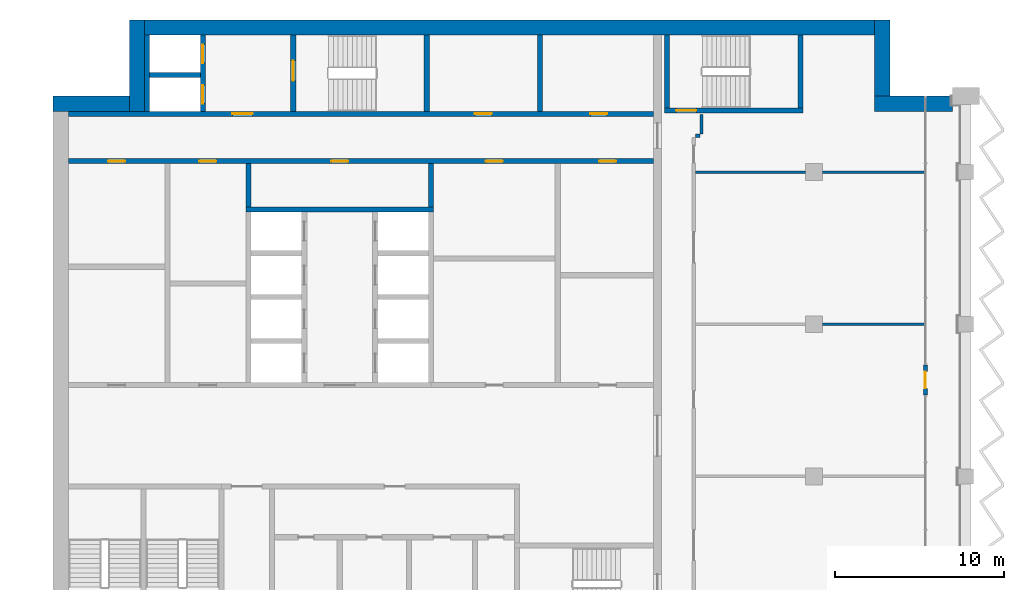
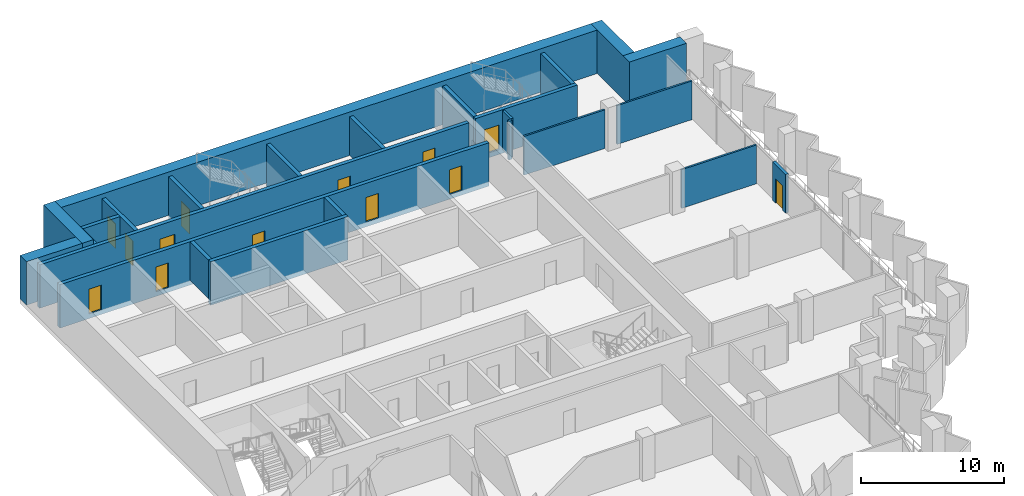
# One storey, part 11 of 17: 25 walls, 13 doors, 13 openings.
"""IFC4 building model written with IfcOpenShell, lengths in metres."""

from ifc_helpers import new_model, si_unit, direction, frame, frame_2d, origin, place, context, subcontext, project, spatial, rectangle, extrude, material, layer, layer_set, type_object, element, fill, save


model = new_model("IFC4")

# Units and contexts
model_context = context("Model", 3, precision=1e-05, world=origin(), true_north=direction((0.0, 1.0)))
body_context = subcontext(model_context, "Body", "Model", "MODEL_VIEW")
ifc_project = project(units=[si_unit("LENGTHUNIT", "METRE"), si_unit("AREAUNIT", "SQUARE_METRE"), si_unit("VOLUMEUNIT", "CUBIC_METRE"), si_unit("PLANEANGLEUNIT", "RADIAN"), si_unit("MASSUNIT", "GRAM", prefix="KILO")], contexts=[model_context])

# Site, building, storey
site_placement = place(None, origin())
site = spatial("IfcSite", under=ifc_project, at=site_placement, CompositionType="ELEMENT")
building_placement = place(site_placement, origin())
building = spatial("IfcBuilding", under=site, at=building_placement, Name="Hunhe Ridgeline Campus", CompositionType="ELEMENT")
storey_placement = place(building_placement, frame((0.0, 0.0, 268.800048828125)))
storey = spatial("IfcBuildingStorey", under=building, at=storey_placement, Name="L69", CompositionType="ELEMENT", Elevation=268.800048828125)

# Walls
ifc_material_1 = material(Name="Masonry concrete blockwork", Category="masonry")
ifc_layer_1 = layer(ifc_material_1, 0.300048828125)
ifc_layer_set_1 = layer_set([ifc_layer_1], Name="Core room partition 300 concrete block")
wall_type_1 = type_object("IfcWallType", Name="Core room partition 300 concrete block", PredefinedType="PARTITIONING", material=ifc_layer_set_1)
for number, where, z_axis, x_axis, name in (
    (1, (11.550048828125, 87.949951171875, 0.0), (0.0, 0.0, 1.0), (0.0, 1.0, 0.0), "L69 core partition 34"),
    (2, (22.35009765625, 87.949951171875, 0.0), (0.0, 0.0, 1.0), (0.0, 1.0, 0.0), "L69 core partition 44"),
):
    element("IfcWall", number, at=place(storey_placement, frame(where, z_axis=z_axis, x_axis=x_axis)), inside=storey, type_object=wall_type_1, Name=name, PredefinedType="PARTITIONING", context=body_context, shape_type="SweptSolid", body=[
        extrude(rectangle(XDim=2.550048828125, YDim=0.300048828125, at=frame_2d((1.27490234375, 0.0))), origin(), (0.0, 0.0, 1.0), 3.300048828125),
    ])
wall_1_placement = place(storey_placement, frame((28.800048828125, 93.60009765625, 0.0), z_axis=(0.0, 0.0, 1.0), x_axis=(0.0, 1.0, 0.0)))
element("IfcWall", 3, at=wall_1_placement, inside=storey, type_object=wall_type_1, Name="L69 core partition 49", PredefinedType="PARTITIONING", context=body_context, shape_type="SweptSolid", body=[
    extrude(rectangle(XDim=4.5, YDim=0.300048828125, at=frame_2d((2.25, 0.0))), origin(), (0.0, 0.0, 1.0), 3.300048828125),
])
ifc_material_2 = material(Name="Gypsum board partition")
ifc_layer_2 = layer(ifc_material_2, 0.199951171875)
ifc_layer_set_2 = layer_set([ifc_layer_2], Name="Corridor partition 200 gypsum board on steel studs")
wall_type_2 = type_object("IfcWallType", Name="Corridor partition 200 gypsum board on steel studs", PredefinedType="PARTITIONING", material=ifc_layer_set_2)
wall_2_placement = place(storey_placement, frame((38.25, 92.14990234375, 0.0), z_axis=(0.0, 0.0, 1.0), x_axis=(-1.0, 0.0, 0.0)))
element("IfcWall", 4, at=wall_2_placement, inside=storey, type_object=wall_type_2, Name="F-L69-wall-036", PredefinedType="PARTITIONING", context=body_context, shape_type="SweptSolid", body=[
    extrude(rectangle(XDim=0.25, YDim=0.199951171875, at=frame_2d((0.125, 0.0))), origin(), (0.0, 0.0, 1.0), 3.300048828125),
])
wall_3_placement = place(storey_placement, frame((38.35009765625, 93.39599609375, 0.0), z_axis=(0.0, 0.0, 1.0), x_axis=(0.0, -1.0, 0.0)))
element("IfcWall", 5, at=wall_3_placement, inside=storey, type_object=wall_type_2, Name="F-L69-wall-047", PredefinedType="PARTITIONING", context=body_context, shape_type="SweptSolid", body=[
    extrude(rectangle(XDim=1.14599609375, YDim=0.199951171875, at=frame_2d((0.572998046875, 0.0))), origin(), (0.0, 0.0, 1.0), 3.300048828125),
])

# Wall, openings, doors
ifc_material_3 = material(Name="Concrete C50", Category="concrete")
ifc_layer_3 = layer(ifc_material_3, 0.300048828125)
ifc_layer_set_3 = layer_set([ifc_layer_3], Name="Lobby wall 300 reinforced concrete C50")
wall_type_3 = type_object("IfcWallType", Name="Lobby wall 300 reinforced concrete C50", PredefinedType="SOLIDWALL", material=ifc_layer_set_3)
wall_4_placement = place(storey_placement, frame((0.89990234375, 90.64990234375, -0.400146484375), z_axis=(0.0, 0.0, 1.0), x_axis=(1.0, 0.0, 0.0)))
wall_4 = element("IfcWall", 6, at=wall_4_placement, inside=storey, type_object=wall_type_3, Name="L69 core wall 23", PredefinedType="SOLIDWALL", context=body_context, shape_type="SweptSolid", body=[
    extrude(rectangle(XDim=34.60009765625, YDim=0.300048828125, at=frame_2d((17.300048828125, 0.0))), origin(), (0.0, 0.0, 1.0), 3.7001953125),
])
opening_1_placement = place(wall_4_placement, frame((15.550048828125, 0.0, 0.39990234375)))
opening_1 = element("IfcOpeningElement", 7, at=opening_1_placement, cuts=wall_4, Name="Opening CD26", PredefinedType="OPENING", context=body_context, shape_type="SweptSolid", body=[
    extrude(rectangle(XDim=1.0, YDim=2.10009765625, at=frame_2d((0.5, 1.050048828125))), frame((0.0, 0.14990234375, 0.0), z_axis=(0.0, -1.0, 0.0), x_axis=(1.0, 0.0, 0.0)), (0.0, 0.0, 1.0), 0.300048828125),
])
opening_2_placement = place(wall_4_placement, frame((2.35009765625, 0.0, 0.39990234375)))
opening_2 = element("IfcOpeningElement", 8, at=opening_2_placement, cuts=wall_4, Name="Opening CD40", PredefinedType="OPENING", context=body_context, shape_type="SweptSolid", body=[
    extrude(rectangle(XDim=1.0, YDim=2.10009765625, at=frame_2d((0.5, 1.050048828125))), frame((0.0, 0.14990234375, 0.0), z_axis=(0.0, -1.0, 0.0), x_axis=(1.0, 0.0, 0.0)), (0.0, 0.0, 1.0), 0.300048828125),
])
opening_3_placement = place(wall_4_placement, frame((7.75, 0.0, 0.39990234375)))
opening_3 = element("IfcOpeningElement", 9, at=opening_3_placement, cuts=wall_4, Name="Opening CD43", PredefinedType="OPENING", context=body_context, shape_type="SweptSolid", body=[
    extrude(rectangle(XDim=1.0, YDim=2.10009765625, at=frame_2d((0.5, 1.050048828125))), frame((0.0, 0.14990234375, 0.0), z_axis=(0.0, -1.0, 0.0), x_axis=(1.0, 0.0, 0.0)), (0.0, 0.0, 1.0), 0.300048828125),
])
opening_4_placement = place(wall_4_placement, frame((24.699951171875, 0.0, 0.39990234375)))
opening_4 = element("IfcOpeningElement", 10, at=opening_4_placement, cuts=wall_4, Name="Opening CD33", PredefinedType="OPENING", context=body_context, shape_type="SweptSolid", body=[
    extrude(rectangle(XDim=1.0, YDim=2.10009765625, at=frame_2d((0.5, 1.050048828125))), frame((0.0, 0.14990234375, 0.0), z_axis=(0.0, -1.0, 0.0), x_axis=(1.0, 0.0, 0.0)), (0.0, 0.0, 1.0), 0.300048828125),
])
opening_5_placement = place(wall_4_placement, frame((31.39990234375, 0.0, 0.39990234375)))
opening_5 = element("IfcOpeningElement", 11, at=opening_5_placement, cuts=wall_4, Name="Opening CD44", PredefinedType="OPENING", context=body_context, shape_type="SweptSolid", body=[
    extrude(rectangle(XDim=1.0, YDim=2.10009765625, at=frame_2d((0.5, 1.050048828125))), frame((0.0, 0.14990234375, 0.0), z_axis=(0.0, -1.0, 0.0), x_axis=(1.0, 0.0, 0.0)), (0.0, 0.0, 1.0), 0.300048828125),
])
ifc_material_4 = material(Name="Solid core timber door leaf", Category="wood")
door_type_1 = type_object("IfcDoorType", Name="Timber door 1000x2100", OperationType="SINGLE_SWING_LEFT", PredefinedType="DOOR", material=ifc_material_4)
door_1_placement = place(opening_1_placement, frame((1.0, 0.0, 0.0), z_axis=(0.0, 0.0, 1.0), x_axis=(-1.0, 0.0, 0.0)))
door_1 = element("IfcDoor", 12, at=door_1_placement, inside=storey, type_object=door_type_1, Name="L69 door NR-0", OperationType="SINGLE_SWING_RIGHT", OverallHeight=2.10009765625, OverallWidth=1.0, PredefinedType="DOOR", context=body_context, shape_type="SweptSolid", body=[
    extrude(rectangle(XDim=1.0, YDim=2.10009765625, at=frame_2d((0.5, 1.050048828125))), frame((0.0, 0.02490234375, 0.0), z_axis=(0.0, -1.0, 0.0), x_axis=(1.0, 0.0, 0.0)), (0.0, 0.0, 1.0), 0.050048828125),
])
fill(opening_1, door_1)
door_2_placement = place(opening_2_placement, frame((1.0, 0.0, 0.0), z_axis=(0.0, 0.0, 1.0), x_axis=(-1.0, 0.0, 0.0)))
door_2 = element("IfcDoor", 13, at=door_2_placement, inside=storey, type_object=door_type_1, Name="L69 door VD-LR1", OperationType="SINGLE_SWING_RIGHT", OverallHeight=2.10009765625, OverallWidth=1.0, PredefinedType="DOOR", context=body_context, shape_type="SweptSolid", body=[
    extrude(rectangle(XDim=1.0, YDim=2.10009765625, at=frame_2d((0.5, 1.050048828125))), frame((0.0, 0.02490234375, 0.0), z_axis=(0.0, -1.0, 0.0), x_axis=(1.0, 0.0, 0.0)), (0.0, 0.0, 1.0), 0.050048828125),
])
fill(opening_2, door_2)
door_3_placement = place(opening_3_placement, frame((1.0, 0.0, 0.0), z_axis=(0.0, 0.0, 1.0), x_axis=(-1.0, 0.0, 0.0)))
door_3 = element("IfcDoor", 14, at=door_3_placement, inside=storey, type_object=door_type_1, Name="L69 door VD-LR3", OperationType="SINGLE_SWING_RIGHT", OverallHeight=2.10009765625, OverallWidth=1.0, PredefinedType="DOOR", context=body_context, shape_type="SweptSolid", body=[
    extrude(rectangle(XDim=1.0, YDim=2.10009765625, at=frame_2d((0.5, 1.050048828125))), frame((0.0, 0.02490234375, 0.0), z_axis=(0.0, -1.0, 0.0), x_axis=(1.0, 0.0, 0.0)), (0.0, 0.0, 1.0), 0.050048828125),
])
fill(opening_3, door_3)
door_4_placement = place(opening_4_placement, frame((1.0, 0.0, 0.0), z_axis=(0.0, 0.0, 1.0), x_axis=(-1.0, 0.0, 0.0)))
door_4 = element("IfcDoor", 15, at=door_4_placement, inside=storey, type_object=door_type_1, Name="L69 door ES1", OperationType="SINGLE_SWING_LEFT", OverallHeight=2.10009765625, OverallWidth=1.0, PredefinedType="DOOR", context=body_context, shape_type="SweptSolid", body=[
    extrude(rectangle(XDim=1.0, YDim=2.10009765625, at=frame_2d((0.5, 1.050048828125))), frame((0.0, 0.02490234375, 0.0), z_axis=(0.0, -1.0, 0.0), x_axis=(1.0, 0.0, 0.0)), (0.0, 0.0, 1.0), 0.050048828125),
])
fill(opening_4, door_4)
door_5_placement = place(opening_5_placement, frame((1.0, 0.0, 0.0), z_axis=(0.0, 0.0, 1.0), x_axis=(-1.0, 0.0, 0.0)))
door_5 = element("IfcDoor", 16, at=door_5_placement, inside=storey, type_object=door_type_1, Name="L69 door ES3", OperationType="SINGLE_SWING_LEFT", OverallHeight=2.10009765625, OverallWidth=1.0, PredefinedType="DOOR", context=body_context, shape_type="SweptSolid", body=[
    extrude(rectangle(XDim=1.0, YDim=2.10009765625, at=frame_2d((0.5, 1.050048828125))), frame((0.0, 0.02490234375, 0.0), z_axis=(0.0, -1.0, 0.0), x_axis=(1.0, 0.0, 0.0)), (0.0, 0.0, 1.0), 0.050048828125),
])
fill(opening_5, door_5)

# Wall, opening, door
ifc_material_5 = material(Name="Concrete C30", Category="concrete")
ifc_layer_4 = layer(ifc_material_5, 0.25)
ifc_layer_set_4 = layer_set([ifc_layer_4], Name="Loggia door pier wall 250 Concrete C30")
wall_type_4 = type_object("IfcWallType", Name="Loggia door pier wall 250 Concrete C30", PredefinedType="SOLIDWALL", material=ifc_layer_set_4)
wall_5_placement = place(storey_placement, frame((51.59912109375, 76.800537109375, 0.0), z_axis=(0.0, 0.0, 1.0), x_axis=(0.0, 1.0, 0.0)))
wall_5 = element("IfcWall", 17, at=wall_5_placement, inside=storey, type_object=wall_type_4, Name="Loggia door pier 3", PredefinedType="SOLIDWALL", context=body_context, shape_type="SweptSolid", body=[
    extrude(rectangle(XDim=1.800048828125, YDim=0.25, at=frame_2d((0.89990234375, 0.0))), origin(), (0.0, 0.0, 1.0), 3.300048828125),
])
opening_6_placement = place(wall_5_placement, frame((0.39990234375, 0.0, 0.0)))
opening_6 = element("IfcOpeningElement", 18, at=opening_6_placement, cuts=wall_5, Name="Opening BD506", PredefinedType="OPENING", context=body_context, shape_type="SweptSolid", body=[
    extrude(rectangle(XDim=1.0, YDim=2.10009765625, at=frame_2d((0.5, 1.050048828125))), frame((0.0, 0.125, 0.0), z_axis=(0.0, -1.0, 0.0), x_axis=(1.0, 0.0, 0.0)), (0.0, 0.0, 1.0), 0.25),
])
ifc_material_6 = material(Name="Aluminium 6063", Category="aluminium")
door_type_2 = type_object("IfcDoorType", Name="Loggia glazed door 1000x2100", OperationType="NOTDEFINED", PredefinedType="DOOR", material=ifc_material_6)
door_6_placement = place(opening_6_placement, frame((1.0, 0.0, 0.0), z_axis=(0.0, 0.0, 1.0), x_axis=(-1.0, 0.0, 0.0)))
door_6 = element("IfcDoor", 19, at=door_6_placement, inside=storey, type_object=door_type_2, Name="Loggia door BD506", OperationType="SINGLE_SWING_LEFT", OverallHeight=2.10009765625, OverallWidth=1.0, PredefinedType="DOOR", context=body_context, shape_type="SweptSolid", body=[
    extrude(rectangle(XDim=1.0, YDim=2.10009765625, at=frame_2d((0.5, 1.050048828125))), frame((0.0, 0.02490234375, 0.0), z_axis=(0.0, -1.0, 0.0), x_axis=(1.0, 0.0, 0.0)), (0.0, 0.0, 1.0), 0.050048828125),
])
fill(opening_6, door_6)

# Walls
ifc_layer_5 = layer(ifc_material_2, 0.14990234375)
ifc_layer_set_5 = layer_set([ifc_layer_5], Name="Room partition 150 gypsum board on steel studs")
wall_type_5 = type_object("IfcWallType", Name="Room partition 150 gypsum board on steel studs", PredefinedType="PARTITIONING", material=ifc_layer_set_5)
wall_6_placement = place(storey_placement, frame((45.5, 81.0, 0.0), z_axis=(0.0, 0.0, 1.0), x_axis=(1.0, 0.0, 0.0)))
element("IfcWall", 20, at=wall_6_placement, inside=storey, type_object=wall_type_5, Name="F-L69-wall-033", PredefinedType="PARTITIONING", context=body_context, shape_type="SweptSolid", body=[
    extrude(rectangle(XDim=6.044921875, YDim=0.14990234375, at=frame_2d((3.0224609375, 0.0))), origin(), (0.0, 0.0, 1.0), 3.300048828125),
])
wall_7_placement = place(storey_placement, frame((38.0, 90.0, 0.0), z_axis=(0.0, 0.0, 1.0), x_axis=(1.0, 0.0, 0.0)))
element("IfcWall", 21, at=wall_7_placement, inside=storey, type_object=wall_type_5, Name="F-L69-wall-034", PredefinedType="PARTITIONING", context=body_context, shape_type="SweptSolid", body=[
    extrude(rectangle(XDim=6.5, YDim=0.14990234375, at=frame_2d((3.25, 0.0))), origin(), (0.0, 0.0, 1.0), 3.300048828125),
])
wall_8_placement = place(storey_placement, frame((45.5, 90.0, 0.0), z_axis=(0.0, 0.0, 1.0), x_axis=(1.0, 0.0, 0.0)))
element("IfcWall", 22, at=wall_8_placement, inside=storey, type_object=wall_type_5, Name="F-L69-wall-035", PredefinedType="PARTITIONING", context=body_context, shape_type="SweptSolid", body=[
    extrude(rectangle(XDim=6.044921875, YDim=0.14990234375, at=frame_2d((3.0224609375, 0.0))), origin(), (0.0, 0.0, 1.0), 3.300048828125),
])
ifc_layer_6 = layer(ifc_material_3, 0.300048828125)
ifc_layer_set_6 = layer_set([ifc_layer_6], Name="Shaft wall 300 reinforced concrete C50")
wall_type_6 = type_object("IfcWallType", Name="Shaft wall 300 reinforced concrete C50", PredefinedType="SOLIDWALL", material=ifc_layer_set_6)
wall_9_placement = place(storey_placement, frame((11.39990234375, 87.800048828125, -0.400146484375), z_axis=(0.0, 0.0, 1.0), x_axis=(1.0, 0.0, 0.0)))
element("IfcWall", 23, at=wall_9_placement, inside=storey, type_object=wall_type_6, Name="L69 core wall 22", PredefinedType="SOLIDWALL", context=body_context, shape_type="SweptSolid", body=[
    extrude(rectangle(XDim=11.10009765625, YDim=0.300048828125, at=frame_2d((5.550048828125, 0.0))), origin(), (0.0, 0.0, 1.0), 3.7001953125),
])

# Wall, openings, doors
wall_10_placement = place(storey_placement, frame((0.89990234375, 93.449951171875, -0.400146484375), z_axis=(0.0, 0.0, 1.0), x_axis=(1.0, 0.0, 0.0)))
wall_10 = element("IfcWall", 24, at=wall_10_placement, inside=storey, type_object=wall_type_6, Name="L69 core wall 24", PredefinedType="SOLIDWALL", context=body_context, shape_type="SweptSolid", body=[
    extrude(rectangle(XDim=34.60009765625, YDim=0.300048828125, at=frame_2d((17.300048828125, 0.0))), origin(), (0.0, 0.0, 1.0), 3.7001953125),
])
opening_7_placement = place(wall_10_placement, frame((9.699951171875, 0.0, 0.39990234375)))
opening_7 = element("IfcOpeningElement", 25, at=opening_7_placement, cuts=wall_10, Name="Opening CD3", PredefinedType="OPENING", context=body_context, shape_type="SweptSolid", body=[
    extrude(rectangle(XDim=1.199951171875, YDim=2.10009765625, at=frame_2d((0.60009765625, 1.050048828125))), frame((0.0, 0.14990234375, 0.0), z_axis=(0.0, -1.0, 0.0), x_axis=(1.0, 0.0, 0.0)), (0.0, 0.0, 1.0), 0.300048828125),
])
opening_8_placement = place(wall_10_placement, frame((24.050048828125, 0.0, 0.39990234375)))
opening_8 = element("IfcOpeningElement", 26, at=opening_8_placement, cuts=wall_10, Name="Opening CD34", PredefinedType="OPENING", context=body_context, shape_type="SweptSolid", body=[
    extrude(rectangle(XDim=1.0, YDim=2.10009765625, at=frame_2d((0.5, 1.050048828125))), frame((0.0, 0.14990234375, 0.0), z_axis=(0.0, -1.0, 0.0), x_axis=(1.0, 0.0, 0.0)), (0.0, 0.0, 1.0), 0.300048828125),
])
opening_9_placement = place(wall_10_placement, frame((30.875, 0.0, 0.39990234375)))
opening_9 = element("IfcOpeningElement", 27, at=opening_9_placement, cuts=wall_10, Name="Opening CD35", PredefinedType="OPENING", context=body_context, shape_type="SweptSolid", body=[
    extrude(rectangle(XDim=1.0, YDim=2.10009765625, at=frame_2d((0.5, 1.050048828125))), frame((0.0, 0.14990234375, 0.0), z_axis=(0.0, -1.0, 0.0), x_axis=(1.0, 0.0, 0.0)), (0.0, 0.0, 1.0), 0.300048828125),
])
ifc_material_7 = material(Name="Hollow metal fire door leaf")
door_type_3 = type_object("IfcDoorType", Name="Lobby door 1200x2100 FD60", OperationType="SINGLE_SWING_LEFT", PredefinedType="DOOR", material=ifc_material_7)
door_7_placement = place(opening_7_placement, frame((1.199951171875, 0.0, 0.0), z_axis=(0.0, 0.0, 1.0), x_axis=(-1.0, 0.0, 0.0)))
door_7 = element("IfcDoor", 28, at=door_7_placement, inside=storey, type_object=door_type_3, Name="L69 door FF-C1", OperationType="SINGLE_SWING_RIGHT", OverallHeight=2.10009765625, OverallWidth=1.199951171875, PredefinedType="DOOR", context=body_context, shape_type="SweptSolid", body=[
    extrude(rectangle(XDim=1.199951171875, YDim=2.10009765625, at=frame_2d((0.60009765625, 1.050048828125))), frame((0.0, 0.02490234375, 0.0), z_axis=(0.0, -1.0, 0.0), x_axis=(1.0, 0.0, 0.0)), (0.0, 0.0, 1.0), 0.050048828125),
])
fill(opening_7, door_7)
door_8_placement = place(opening_8_placement, origin())
door_8 = element("IfcDoor", 29, at=door_8_placement, inside=storey, type_object=door_type_1, Name="L69 door NB0", OperationType="SINGLE_SWING_LEFT", OverallHeight=2.10009765625, OverallWidth=1.0, PredefinedType="DOOR", context=body_context, shape_type="SweptSolid", body=[
    extrude(rectangle(XDim=1.0, YDim=2.10009765625, at=frame_2d((0.5, 1.050048828125))), frame((0.0, 0.02490234375, 0.0), z_axis=(0.0, -1.0, 0.0), x_axis=(1.0, 0.0, 0.0)), (0.0, 0.0, 1.0), 0.050048828125),
])
fill(opening_8, door_8)
door_9_placement = place(opening_9_placement, origin())
door_9 = element("IfcDoor", 30, at=door_9_placement, inside=storey, type_object=door_type_1, Name="L69 door NB1", OperationType="SINGLE_SWING_RIGHT", OverallHeight=2.10009765625, OverallWidth=1.0, PredefinedType="DOOR", context=body_context, shape_type="SweptSolid", body=[
    extrude(rectangle(XDim=1.0, YDim=2.10009765625, at=frame_2d((0.5, 1.050048828125))), frame((0.0, 0.02490234375, 0.0), z_axis=(0.0, -1.0, 0.0), x_axis=(1.0, 0.0, 0.0)), (0.0, 0.0, 1.0), 0.050048828125),
])
fill(opening_9, door_9)

# Walls
wall_11_placement = place(storey_placement, frame((5.699951171875, 95.75, -0.400146484375), z_axis=(0.0, 0.0, 1.0), x_axis=(1.0, 0.0, 0.0)))
element("IfcWall", 31, at=wall_11_placement, inside=storey, type_object=wall_type_6, Name="L69 core wall 26", PredefinedType="SOLIDWALL", context=body_context, shape_type="SweptSolid", body=[
    extrude(rectangle(XDim=3.0, YDim=0.300048828125, at=frame_2d((1.5, 0.0))), origin(), (0.0, 0.0, 1.0), 3.7001953125),
])
wall_12_placement = place(storey_placement, frame((5.550048828125, 93.60009765625, -0.400146484375), z_axis=(0.0, 0.0, 1.0), x_axis=(0.0, 1.0, 0.0)))
element("IfcWall", 32, at=wall_12_placement, inside=storey, type_object=wall_type_6, Name="L69 core wall 28", PredefinedType="SOLIDWALL", context=body_context, shape_type="SweptSolid", body=[
    extrude(rectangle(XDim=4.5, YDim=0.300048828125, at=frame_2d((2.25, 0.0))), origin(), (0.0, 0.0, 1.0), 3.7001953125),
])

# Wall, openings, doors
wall_13_placement = place(storey_placement, frame((8.85009765625, 93.60009765625, -0.400146484375), z_axis=(0.0, 0.0, 1.0), x_axis=(0.0, 1.0, 0.0)))
wall_13 = element("IfcWall", 33, at=wall_13_placement, inside=storey, type_object=wall_type_6, Name="L69 core wall 31", PredefinedType="SOLIDWALL", context=body_context, shape_type="SweptSolid", body=[
    extrude(rectangle(XDim=4.5, YDim=0.300048828125, at=frame_2d((2.25, 0.0))), origin(), (0.0, 0.0, 1.0), 3.7001953125),
])
opening_10_placement = place(wall_13_placement, frame((0.449951171875, 0.0, 0.39990234375)))
opening_10 = element("IfcOpeningElement", 34, at=opening_10_placement, cuts=wall_13, Name="Opening LD-FF1", PredefinedType="OPENING", context=body_context, shape_type="SweptSolid", body=[
    extrude(rectangle(XDim=1.10009765625, YDim=2.10009765625, at=frame_2d((0.550048828125, 1.050048828125))), frame((0.0, 0.14990234375, 0.0), z_axis=(0.0, -1.0, 0.0), x_axis=(1.0, 0.0, 0.0)), (0.0, 0.0, 1.0), 0.300048828125),
])
opening_11_placement = place(wall_13_placement, frame((2.85009765625, 0.0, 0.39990234375)))
opening_11 = element("IfcOpeningElement", 35, at=opening_11_placement, cuts=wall_13, Name="Opening LD-FF2", PredefinedType="OPENING", context=body_context, shape_type="SweptSolid", body=[
    extrude(rectangle(XDim=1.10009765625, YDim=2.10009765625, at=frame_2d((0.550048828125, 1.050048828125))), frame((0.0, 0.14990234375, 0.0), z_axis=(0.0, -1.0, 0.0), x_axis=(1.0, 0.0, 0.0)), (0.0, 0.0, 1.0), 0.300048828125),
])
ifc_material_8 = material(Name="Stainless steel sliding leaves", Category="steel")
door_type_4 = type_object("IfcDoorType", Name="Landing door 1100x2100 FD120", OperationType="SLIDING_TO_LEFT", PredefinedType="DOOR", material=ifc_material_8)
door_10_placement = place(opening_10_placement, origin())
door_10 = element("IfcDoor", 36, at=door_10_placement, inside=storey, type_object=door_type_4, Name="L69 landing door FF1", OperationType="SLIDING_TO_RIGHT", OverallHeight=2.10009765625, OverallWidth=1.10009765625, PredefinedType="DOOR", context=body_context, shape_type="SweptSolid", body=[
    extrude(rectangle(XDim=1.10009765625, YDim=2.10009765625, at=frame_2d((0.550048828125, 1.050048828125))), frame((0.0, 0.02490234375, 0.0), z_axis=(0.0, -1.0, 0.0), x_axis=(1.0, 0.0, 0.0)), (0.0, 0.0, 1.0), 0.050048828125),
])
fill(opening_10, door_10)
door_11_placement = place(opening_11_placement, origin())
door_11 = element("IfcDoor", 37, at=door_11_placement, inside=storey, type_object=door_type_4, Name="L69 landing door FF2", OperationType="SLIDING_TO_LEFT", OverallHeight=2.10009765625, OverallWidth=1.10009765625, PredefinedType="DOOR", context=body_context, shape_type="SweptSolid", body=[
    extrude(rectangle(XDim=1.10009765625, YDim=2.10009765625, at=frame_2d((0.550048828125, 1.050048828125))), frame((0.0, 0.02490234375, 0.0), z_axis=(0.0, -1.0, 0.0), x_axis=(1.0, 0.0, 0.0)), (0.0, 0.0, 1.0), 0.050048828125),
])
fill(opening_11, door_11)

# Walls
ifc_material_9 = material(Name="Concrete C60", Category="concrete")
ifc_layer_7 = layer(ifc_material_9, 0.89990234375)
ifc_layer_set_7 = layer_set([ifc_layer_7], Name="Spine wall 900 Concrete C60")
wall_type_7 = type_object("IfcWallType", Name="Spine wall 900 Concrete C60", PredefinedType="SHEAR", material=ifc_layer_set_7)
wall_14_placement = place(storey_placement, frame((53.199951171875, 94.050048828125, 0.0), z_axis=(0.0, 0.0, 1.0), x_axis=(-1.0, 0.0, 0.0)))
element("IfcWall", 38, at=wall_14_placement, inside=storey, type_object=wall_type_7, Name="Spine wall SW3-2 L69", PredefinedType="SHEAR", context=body_context, shape_type="SweptSolid", body=[
    extrude(rectangle(XDim=4.599853515625, YDim=0.89990234375, at=frame_2d((2.2998046875, 0.0))), origin(), (0.0, 0.0, 1.0), 3.699951171875),
])
wall_15_placement = place(storey_placement, frame((49.050048828125, 93.60009765625, 0.0), z_axis=(0.0, 0.0, 1.0), x_axis=(0.0, 1.0, 0.0)))
element("IfcWall", 39, at=wall_15_placement, inside=storey, type_object=wall_type_7, Name="Spine wall SW3-3 L69", PredefinedType="SHEAR", context=body_context, shape_type="SweptSolid", body=[
    extrude(rectangle(XDim=5.39990234375, YDim=0.89990234375, at=frame_2d((2.699951171875, 0.0))), origin(), (0.0, 0.0, 1.0), 3.699951171875),
])
wall_16_placement = place(storey_placement, frame((49.5, 98.550048828125, 0.0), z_axis=(0.0, 0.0, 1.0), x_axis=(-1.0, 0.0, 0.0)))
element("IfcWall", 40, at=wall_16_placement, inside=storey, type_object=wall_type_7, Name="Spine wall SW3-4 L69", PredefinedType="SHEAR", context=body_context, shape_type="SweptSolid", body=[
    extrude(rectangle(XDim=45.0, YDim=0.89990234375, at=frame_2d((22.5, 0.0))), origin(), (0.0, 0.0, 1.0), 3.699951171875),
])
for number, where, z_axis, x_axis, name in (
    (41, (4.949951171875, 99.0, 0.0), (0.0, 0.0, 1.0), (0.0, -1.0, 0.0), "Spine wall SW3-5 L69"),
    (42, (5.400146484375, 94.050048828125, 0.0), (0.0, 0.0, 1.0), (-1.0, 0.0, 0.0), "Spine wall SW3-6 L69"),
):
    element("IfcWall", number, at=place(storey_placement, frame(where, z_axis=z_axis, x_axis=x_axis)), inside=storey, type_object=wall_type_7, Name=name, PredefinedType="SHEAR", context=body_context, shape_type="SweptSolid", body=[
        extrude(rectangle(XDim=5.400146484375, YDim=0.89990234375, at=frame_2d((2.7001953125, 0.0))), origin(), (0.0, 0.0, 1.0), 3.699951171875),
    ])

# Wall, opening, door
ifc_layer_8 = layer(ifc_material_3, 0.300048828125)
ifc_layer_set_8 = layer_set([ifc_layer_8], Name="Stair wall 300 reinforced concrete C50")
wall_type_8 = type_object("IfcWallType", Name="Stair wall 300 reinforced concrete C50", PredefinedType="SOLIDWALL", material=ifc_layer_set_8)
wall_17_placement = place(storey_placement, frame((36.14990234375, 93.64990234375, -0.400146484375), z_axis=(0.0, 0.0, 1.0), x_axis=(1.0, 0.0, 0.0)))
wall_17 = element("IfcWall", 43, at=wall_17_placement, inside=storey, type_object=wall_type_8, Name="L69 core wall 25", PredefinedType="SOLIDWALL", context=body_context, shape_type="SweptSolid", body=[
    extrude(rectangle(XDim=8.2001953125, YDim=0.300048828125, at=frame_2d((4.10009765625, 0.0))), origin(), (0.0, 0.0, 1.0), 3.7001953125),
])
opening_12_placement = place(wall_17_placement, frame((0.699951171875, 0.0, 0.39990234375)))
opening_12 = element("IfcOpeningElement", 44, at=opening_12_placement, cuts=wall_17, Name="Opening CD17", PredefinedType="OPENING", context=body_context, shape_type="SweptSolid", body=[
    extrude(rectangle(XDim=1.199951171875, YDim=2.10009765625, at=frame_2d((0.60009765625, 1.050048828125))), frame((0.0, 0.14990234375, 0.0), z_axis=(0.0, -1.0, 0.0), x_axis=(1.0, 0.0, 0.0)), (0.0, 0.0, 1.0), 0.300048828125),
])
door_type_5 = type_object("IfcDoorType", Name="Stair door 1200x2100 FD60", OperationType="SINGLE_SWING_LEFT", PredefinedType="DOOR", material=ifc_material_7)
door_12_placement = place(opening_12_placement, frame((1.199951171875, 0.0, 0.0), z_axis=(0.0, 0.0, 1.0), x_axis=(-1.0, 0.0, 0.0)))
door_12 = element("IfcDoor", 45, at=door_12_placement, inside=storey, type_object=door_type_5, Name="L69 door E1", OperationType="SINGLE_SWING_LEFT", OverallHeight=2.10009765625, OverallWidth=1.199951171875, PredefinedType="DOOR", context=body_context, shape_type="SweptSolid", body=[
    extrude(rectangle(XDim=1.199951171875, YDim=2.10009765625, at=frame_2d((0.60009765625, 1.050048828125))), frame((0.0, 0.02490234375, 0.0), z_axis=(0.0, -1.0, 0.0), x_axis=(1.0, 0.0, 0.0)), (0.0, 0.0, 1.0), 0.050048828125),
])
fill(opening_12, door_12)

wall_18_placement = place(storey_placement, frame((14.199951171875, 93.60009765625, -0.400146484375), z_axis=(0.0, 0.0, 1.0), x_axis=(0.0, 1.0, 0.0)))
wall_18 = element("IfcWall", 46, at=wall_18_placement, inside=storey, type_object=wall_type_8, Name="L69 core wall 36", PredefinedType="SOLIDWALL", context=body_context, shape_type="SweptSolid", body=[
    extrude(rectangle(XDim=4.5, YDim=0.300048828125, at=frame_2d((2.25, 0.0))), origin(), (0.0, 0.0, 1.0), 3.7001953125),
])
opening_13_placement = place(wall_18_placement, frame((1.800048828125, 0.0, 0.39990234375)))
opening_13 = element("IfcOpeningElement", 47, at=opening_13_placement, cuts=wall_18, Name="Opening CD16", PredefinedType="OPENING", context=body_context, shape_type="SweptSolid", body=[
    extrude(rectangle(XDim=1.199951171875, YDim=2.10009765625, at=frame_2d((0.60009765625, 1.050048828125))), frame((0.0, 0.14990234375, 0.0), z_axis=(0.0, -1.0, 0.0), x_axis=(1.0, 0.0, 0.0)), (0.0, 0.0, 1.0), 0.300048828125),
])
door_13_placement = place(opening_13_placement, origin())
door_13 = element("IfcDoor", 48, at=door_13_placement, inside=storey, type_object=door_type_5, Name="L69 door S1-FF", OperationType="SINGLE_SWING_RIGHT", OverallHeight=2.10009765625, OverallWidth=1.199951171875, PredefinedType="DOOR", context=body_context, shape_type="SweptSolid", body=[
    extrude(rectangle(XDim=1.199951171875, YDim=2.10009765625, at=frame_2d((0.60009765625, 1.050048828125))), frame((0.0, 0.02490234375, 0.0), z_axis=(0.0, -1.0, 0.0), x_axis=(1.0, 0.0, 0.0)), (0.0, 0.0, 1.0), 0.050048828125),
])
fill(opening_13, door_13)

# Walls
wall_19_placement = place(storey_placement, frame((22.10009765625, 93.60009765625, -0.400146484375), z_axis=(0.0, 0.0, 1.0), x_axis=(0.0, 1.0, 0.0)))
element("IfcWall", 49, at=wall_19_placement, inside=storey, type_object=wall_type_8, Name="L69 core wall 42", PredefinedType="SOLIDWALL", context=body_context, shape_type="SweptSolid", body=[
    extrude(rectangle(XDim=4.5, YDim=0.300048828125, at=frame_2d((2.25, 0.0))), origin(), (0.0, 0.0, 1.0), 3.7001953125),
])
for number, where, z_axis, x_axis, name in (
    (50, (36.300048828125, 93.800048828125, -0.400146484375), (0.0, 0.0, 1.0), (0.0, 1.0, 0.0), "L69 core wall 52"),
    (51, (44.199951171875, 93.800048828125, -0.400146484375), (0.0, 0.0, 1.0), (0.0, 1.0, 0.0), "L69 core wall 53"),
):
    element("IfcWall", number, at=place(storey_placement, frame(where, z_axis=z_axis, x_axis=x_axis)), inside=storey, type_object=wall_type_8, Name=name, PredefinedType="SOLIDWALL", context=body_context, shape_type="SweptSolid", body=[
        extrude(rectangle(XDim=4.300048828125, YDim=0.300048828125, at=frame_2d((2.14990234375, 0.0))), origin(), (0.0, 0.0, 1.0), 3.7001953125),
    ])

save(model, "model.ifc")
